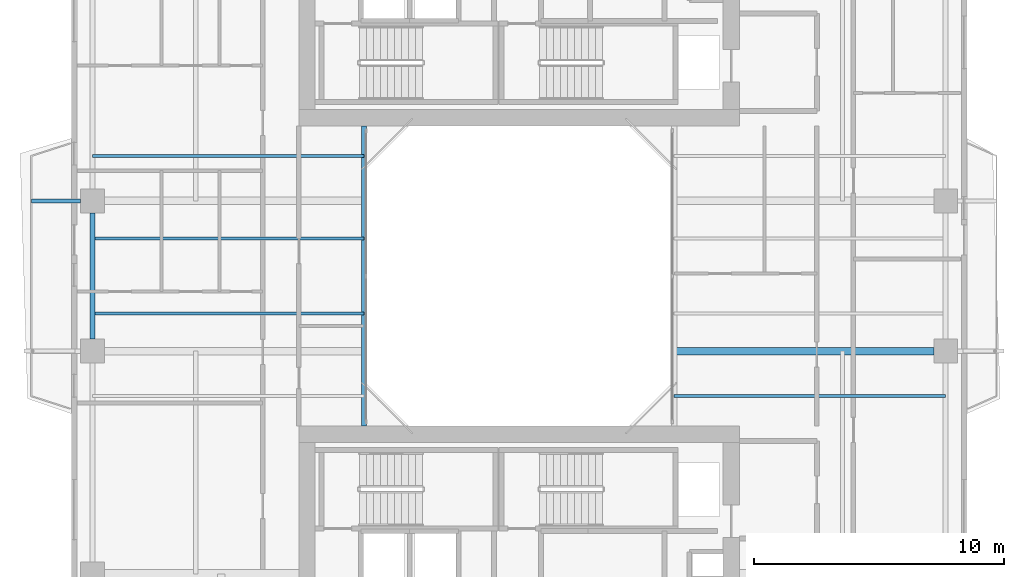
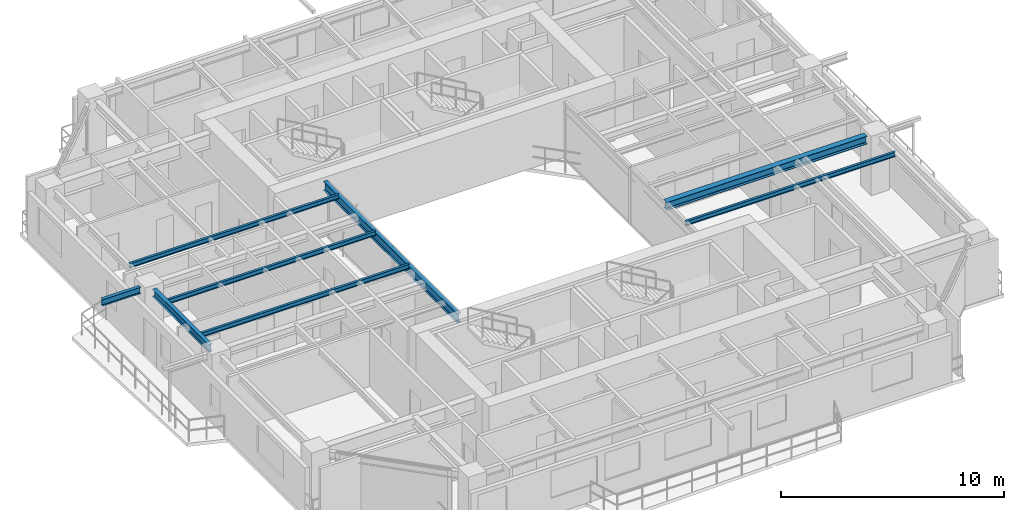
# One storey, part 5 of 18: 8 beams.
"""IFC4 building model written with IfcOpenShell, lengths in metres."""

from ifc_helpers import new_model, si_unit, direction, frame, origin, origin_2d, place, context, subcontext, project, spatial, i_section, extrude, source, transform, mapped, material, material_profile, profile_set, type_object, element, save


model = new_model("IFC4")

# Units and contexts
model_context = context("Model", 3, precision=1e-05, world=origin(), true_north=direction((0.0, 1.0)))
body_context = subcontext(model_context, "Body", "Model", "MODEL_VIEW")
ifc_project = project(units=[si_unit("LENGTHUNIT", "METRE"), si_unit("AREAUNIT", "SQUARE_METRE"), si_unit("VOLUMEUNIT", "CUBIC_METRE"), si_unit("PLANEANGLEUNIT", "RADIAN"), si_unit("MASSUNIT", "GRAM", prefix="KILO"), si_unit("THERMODYNAMICTEMPERATUREUNIT", "KELVIN"), si_unit("POWERUNIT", "WATT")], contexts=[model_context])

# Site, building, storey
site_placement = place(None, origin())
site = spatial("IfcSite", under=ifc_project, at=site_placement, CompositionType="ELEMENT")
building_placement = place(site_placement, origin())
building = spatial("IfcBuilding", under=site, at=building_placement, Name="Qiaomeng Ring Towers", CompositionType="ELEMENT")
storey_placement = place(building_placement, frame((0.0, 0.0, 147.0)))
storey = spatial("IfcBuildingStorey", under=building, at=storey_placement, Name="L42", CompositionType="ELEMENT", Elevation=147.0)

# Beams
ifc_material = material(Name="Steel Q355B", Category="steel")
ifc_material_profile_1 = material_profile(ifc_material, i_section(OverallWidth=0.199951171875, OverallDepth=0.5, WebThickness=0.010009765625, FlangeThickness=0.01611328125, FilletRadius=0.02001953125, at=origin_2d()), Name="HN 500x200x10x16")
ifc_profile_set_1 = profile_set([ifc_material_profile_1], Name="Steel Q355B")
beam_type_1 = type_object("IfcBeamType", Name="STR-BM-HN500", PredefinedType="BEAM", material=ifc_profile_set_1)
shared_shape_1 = source(origin(), body_context, "Body", "SweptSolid", [
    extrude(i_section(OverallWidth=0.199951171875, OverallDepth=0.5, WebThickness=0.010009765625, FlangeThickness=0.01611328125, FilletRadius=0.02001953125, at=origin_2d()), origin(), (0.0, 0.0, 1.0), 12.0),
])
beam_1_placement = place(storey_placement, frame((12.800048828125, 17.0, 2.820068359375), z_axis=(0.0, 1.0, 0.0), x_axis=(-1.0, 0.0, 0.0)))
element("IfcBeam", 1, at=beam_1_placement, inside=storey, type_object=beam_type_1, Name="L42 beam STR-BM-L42-WELL-W", PredefinedType="BEAM", context=body_context, shape_type="MappedRepresentation", body=[
    mapped(shared_shape_1, transform((0.0, 0.0, 0.0), x_axis=(1.0, 0.0, 0.0), y_axis=(0.0, 1.0, 0.0), z_axis=(0.0, 0.0, 1.0), scale=1.0)),
])
ifc_material_profile_2 = material_profile(ifc_material, i_section(OverallWidth=0.125, OverallDepth=0.25, WebThickness=0.006103515625, FlangeThickness=0.009033203125, FilletRadius=0.011962890625, at=origin_2d()), Name="HN 250x125x6x9")
ifc_profile_set_2 = profile_set([ifc_material_profile_2], Name="Steel Q355B")
beam_type_2 = type_object("IfcBeamType", Name="STR-BM-HN250", PredefinedType="JOIST", material=ifc_profile_set_2)
shared_shape_2 = source(origin(), body_context, "Body", "SweptSolid", [
    extrude(i_section(OverallWidth=0.125, OverallDepth=0.25, WebThickness=0.006103515625, FlangeThickness=0.009033203125, FilletRadius=0.011962890625, at=origin_2d()), origin(), (0.0, 0.0, 1.0), 10.85009765625),
])
for number, where, z_axis, x_axis, name in (
    (2, (25.199951171875, 18.199951171875, 2.945068359375), (1.0, 0.0, 0.0), (0.0, 1.0, 0.0), "L42 beam STR-JST-L42-T1E-1"),
    (3, (1.949951171875, 21.5, 2.945068359375), (1.0, 0.0, 0.0), (0.0, 1.0, 0.0), "L42 beam STR-JST-L42-T1W-2"),
    (4, (1.949951171875, 24.5, 2.945068359375), (1.0, 0.0, 0.0), (0.0, 1.0, 0.0), "L42 beam STR-JST-L42-T1W-3"),
    (5, (1.949951171875, 27.800048828125, 2.945068359375), (1.0, 0.0, 0.0), (0.0, 1.0, 0.0), "L42 beam STR-JST-L42-T1W-4"),
):
    element("IfcBeam", number, at=place(storey_placement, frame(where, z_axis=z_axis, x_axis=x_axis)), inside=storey, type_object=beam_type_2, Name=name, PredefinedType="JOIST", context=body_context, shape_type="MappedRepresentation", body=[
        mapped(shared_shape_2, transform((0.0, 0.0, 0.0), x_axis=(1.0, 0.0, 0.0), y_axis=(0.0, 1.0, 0.0), z_axis=(0.0, 0.0, 1.0), scale=1.0)),
    ])
ifc_material_profile_3 = material_profile(ifc_material, i_section(OverallWidth=0.199951171875, OverallDepth=0.39990234375, WebThickness=0.008056640625, FlangeThickness=0.012939453125, FilletRadius=0.01611328125, at=origin_2d()), Name="HN 400x200x8x13")
ifc_profile_set_3 = profile_set([ifc_material_profile_3], Name="Steel Q355B")
beam_type_3 = type_object("IfcBeamType", Name="STR-BM-HN400", PredefinedType="SPANDREL", material=ifc_profile_set_3)
shared_shape_3 = source(origin(), body_context, "Body", "SweptSolid", [
    extrude(i_section(OverallWidth=0.199951171875, OverallDepth=0.39990234375, WebThickness=0.008056640625, FlangeThickness=0.012939453125, FilletRadius=0.01611328125, at=origin_2d()), origin(), (0.0, 0.0, 1.0), 5.0517578125),
])
beam_2_placement = place(storey_placement, frame((1.949951171875, 25.52587890625, 2.8701171875), z_axis=(0.0, -1.0, 0.0), x_axis=(1.0, 0.0, 0.0)))
element("IfcBeam", 6, at=beam_2_placement, inside=storey, type_object=beam_type_3, Name="L42 beam STR-SP-L42-T1-W3-W2", PredefinedType="SPANDREL", context=body_context, shape_type="MappedRepresentation", body=[
    mapped(shared_shape_3, transform((0.0, 0.0, 0.0), x_axis=(1.0, 0.0, 0.0), y_axis=(0.0, 1.0, 0.0), z_axis=(0.0, 0.0, 1.0), scale=1.0)),
])
ifc_material_profile_4 = material_profile(ifc_material, i_section(OverallWidth=0.300048828125, OverallDepth=0.43994140625, WebThickness=0.010986328125, FlangeThickness=0.01806640625, FilletRadius=0.02392578125, at=origin_2d()), Name="HM 440x300x11x18")
ifc_profile_set_4 = profile_set([ifc_material_profile_4], Name="Steel Q355B")
beam_type_4 = type_object("IfcBeamType", Name="STR-BM-HM440", PredefinedType="BEAM", material=ifc_profile_set_4)
shared_shape_4 = source(origin(), body_context, "Body", "SweptSolid", [
    extrude(i_section(OverallWidth=0.300048828125, OverallDepth=0.43994140625, WebThickness=0.010986328125, FlangeThickness=0.01806640625, FilletRadius=0.02392578125, at=origin_2d()), origin(), (0.0, 0.0, 1.0), 10.3759765625),
])
beam_3_placement = place(storey_placement, frame((25.199951171875, 20.0, 2.85009765625), z_axis=(1.0, 0.0, 0.0), x_axis=(0.0, 1.0, 0.0)))
element("IfcBeam", 7, at=beam_3_placement, inside=storey, type_object=beam_type_4, Name="L42 beam STR-BM-L42-T1-RAD-E2", PredefinedType="BEAM", context=body_context, shape_type="MappedRepresentation", body=[
    mapped(shared_shape_4, transform((0.0, 0.0, 0.0), x_axis=(1.0, 0.0, 0.0), y_axis=(0.0, 1.0, 0.0), z_axis=(0.0, 0.0, 1.0), scale=1.0)),
])
ifc_material_profile_5 = material_profile(ifc_material, i_section(OverallWidth=0.175048828125, OverallDepth=0.35009765625, WebThickness=0.007080078125, FlangeThickness=0.010986328125, FilletRadius=0.013916015625, at=origin_2d()), Name="HN 350x175x7x11")
ifc_profile_set_5 = profile_set([ifc_material_profile_5], Name="Steel Q355B")
beam_type_5 = type_object("IfcBeamType", Name="STR-BM-HN350", PredefinedType="JOIST", material=ifc_profile_set_5)
shared_shape_5 = source(origin(), body_context, "Body", "SweptSolid", [
    extrude(i_section(OverallWidth=0.175048828125, OverallDepth=0.35009765625, WebThickness=0.007080078125, FlangeThickness=0.010986328125, FilletRadius=0.013916015625, at=origin_2d()), origin(), (0.0, 0.0, 1.0), 1.97607421875),
])
beam_4_placement = place(storey_placement, frame((-0.5, 26.0, 2.89501953125), z_axis=(1.0, 0.0, 0.0), x_axis=(0.0, 1.0, 0.0)))
element("IfcBeam", 8, at=beam_4_placement, inside=storey, type_object=beam_type_5, Name="L42 beam STR-BALBM-L42-W3", PredefinedType="JOIST", context=body_context, shape_type="MappedRepresentation", body=[
    mapped(shared_shape_5, transform((0.0, 0.0, 0.0), x_axis=(1.0, 0.0, 0.0), y_axis=(0.0, 1.0, 0.0), z_axis=(0.0, 0.0, 1.0), scale=1.0)),
])

save(model, "model.ifc")
